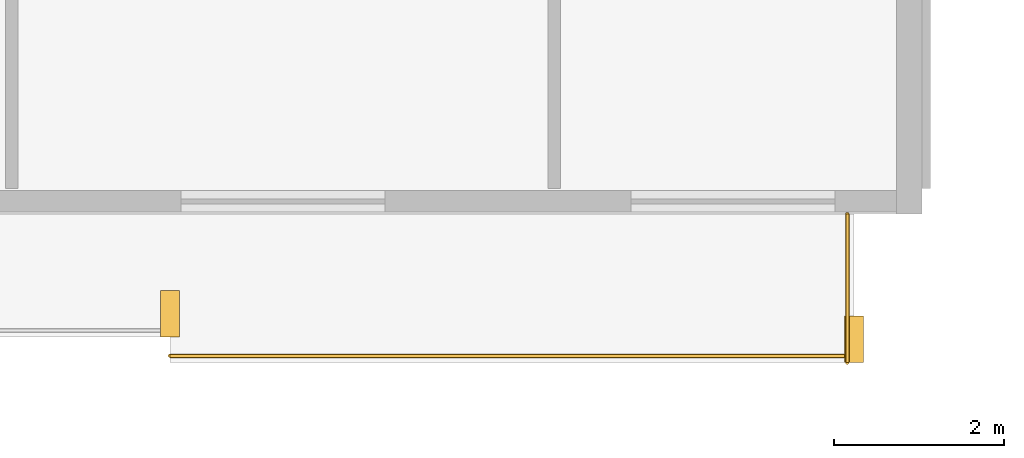
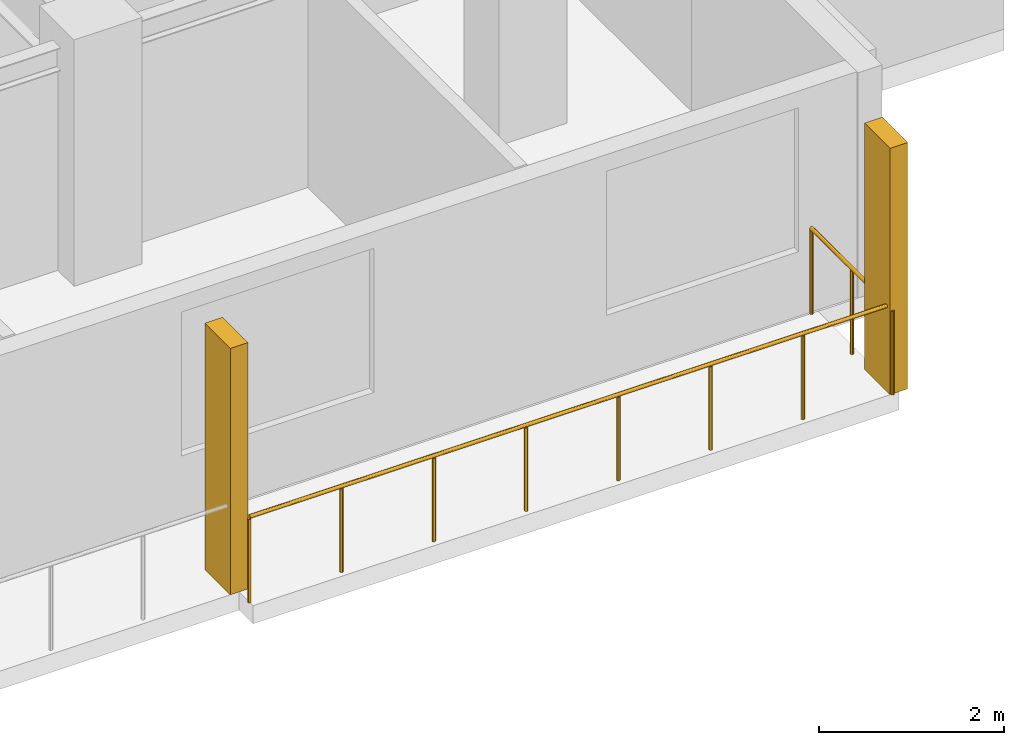
# One storey, part 19 of 21: 2 railings, 2 shading devices.
"""IFC4 building model written with IfcOpenShell, lengths in metres."""

from ifc_helpers import new_model, si_unit, direction, frame, origin, origin_2d, place, context, subcontext, project, spatial, rectangle, circle, extrude, material, type_object, element, save


model = new_model("IFC4")

# Units and contexts
model_context = context("Model", 3, precision=1e-05, world=origin(), true_north=direction((0.0, 1.0)))
body_context = subcontext(model_context, "Body", "Model", "MODEL_VIEW")
ifc_project = project(units=[si_unit("LENGTHUNIT", "METRE"), si_unit("AREAUNIT", "SQUARE_METRE"), si_unit("VOLUMEUNIT", "CUBIC_METRE"), si_unit("PLANEANGLEUNIT", "RADIAN"), si_unit("MASSUNIT", "GRAM", prefix="KILO")], contexts=[model_context])

# Site, building, storey
site_placement = place(None, origin())
site = spatial("IfcSite", under=ifc_project, at=site_placement, CompositionType="ELEMENT")
building_placement = place(site_placement, origin())
building = spatial("IfcBuilding", under=site, at=building_placement, Name="Korimba Cascade Residences", CompositionType="ELEMENT")
storey_placement = place(building_placement, frame((0.0, 0.0, 100.300048828125)))
storey = spatial("IfcBuildingStorey", under=building, at=storey_placement, Name="L28", CompositionType="ELEMENT", Elevation=100.300048828125)

# Railings
ifc_material_1 = material(Name="Laminated Glass and Bronze Balustrade", Category="glass")
railing_type = type_object("IfcRailingType", Name="RLG-LOG-1150", PredefinedType="BALUSTRADE", material=ifc_material_1)
railing_1_placement = place(storey_placement, frame((121.843017578125, -10.669921875, 0.0)))
element("IfcRailing", 1, at=railing_1_placement, inside=storey, type_object=railing_type, Name="L28 Perimeter Guardrail RLG-L28-T2-LOG-06", PredefinedType="BALUSTRADE", context=body_context, shape_type="SweptSolid", body=[
    extrude(circle(Radius=0.02392578125, at=origin_2d()), frame((0.0, 0.0, 1.1259765625), z_axis=(1.0, 0.0, 0.0), x_axis=(0.0, 1.0, 0.0)), (0.0, 0.0, 1.0), 8.056884765625),
    extrude(circle(Radius=0.02099609375, at=origin_2d()), origin(), (0.0, 0.0, 1.0), 1.101806640625),
    extrude(circle(Radius=0.02099609375, at=origin_2d()), frame((1.15087890625, 0.0, 0.0)), (0.0, 0.0, 1.0), 1.101806640625),
    extrude(circle(Radius=0.02099609375, at=origin_2d()), frame((2.302001953125, 0.0, 0.0)), (0.0, 0.0, 1.0), 1.101806640625),
    extrude(circle(Radius=0.02099609375, at=origin_2d()), frame((3.452880859375, 0.0, 0.0)), (0.0, 0.0, 1.0), 1.101806640625),
    extrude(circle(Radius=0.02099609375, at=origin_2d()), frame((4.60400390625, 0.0, 0.0)), (0.0, 0.0, 1.0), 1.101806640625),
    extrude(circle(Radius=0.02099609375, at=origin_2d()), frame((5.7548828125, 0.0, 0.0)), (0.0, 0.0, 1.0), 1.101806640625),
    extrude(circle(Radius=0.02099609375, at=origin_2d()), frame((6.906005859375, 0.0, 0.0)), (0.0, 0.0, 1.0), 1.101806640625),
    extrude(circle(Radius=0.02099609375, at=origin_2d()), frame((8.056884765625, 0.0, 0.0)), (0.0, 0.0, 1.0), 1.101806640625),
])
railing_2_placement = place(storey_placement, frame((129.820068359375, -10.75, 0.0)))
element("IfcRailing", 2, at=railing_2_placement, inside=storey, type_object=railing_type, Name="L28 Perimeter Guardrail RLG-L28-T2-LOG-07", PredefinedType="BALUSTRADE", context=body_context, shape_type="SweptSolid", body=[
    extrude(circle(Radius=0.02392578125, at=origin_2d()), frame((0.0, 0.0, 1.1259765625), z_axis=(0.0, 1.0, 0.0), x_axis=(-1.0, 0.0, 0.0)), (0.0, 0.0, 1.0), 1.75),
    extrude(circle(Radius=0.02099609375, at=origin_2d()), origin(), (0.0, 0.0, 1.0), 1.101806640625),
    extrude(circle(Radius=0.02099609375, at=origin_2d()), frame((0.0, 0.875, 0.0)), (0.0, 0.0, 1.0), 1.101806640625),
    extrude(circle(Radius=0.02099609375, at=origin_2d()), frame((0.0, 1.75, 0.0)), (0.0, 0.0, 1.0), 1.101806640625),
])

# Shading devices
ifc_material_2 = material(Name="Honed Sandstone Precast Fin", Category="masonry")
shading_device_type = type_object("IfcShadingDeviceType", Name="SHD-FIN-550", PredefinedType="USERDEFINED", material=ifc_material_2)
for number, where, z_axis, x_axis, name in (
    (3, (121.843017578125, -10.175048828125, 0.0), (0.0, 0.0, 1.0), (1.0, 0.0, 0.0), "L28 T2 Warm-Stone Loggia Fin 7"),
    (4, (129.89990234375, -10.47509765625, 0.0), (0.0, 0.0, 1.0), (1.0, 0.0, 0.0), "L28 T2 Warm-Stone Loggia Fin 8"),
):
    element("IfcShadingDevice", number, at=place(storey_placement, frame(where, z_axis=z_axis, x_axis=x_axis)), inside=storey, type_object=shading_device_type, Name=name, ObjectType="FIN", PredefinedType="USERDEFINED", context=body_context, shape_type="SweptSolid", body=[
        extrude(rectangle(XDim=0.219970703125, YDim=0.550048828125, at=origin_2d()), origin(), (0.0, 0.0, 1.0), 3.25),
    ])

save(model, "model.ifc")
